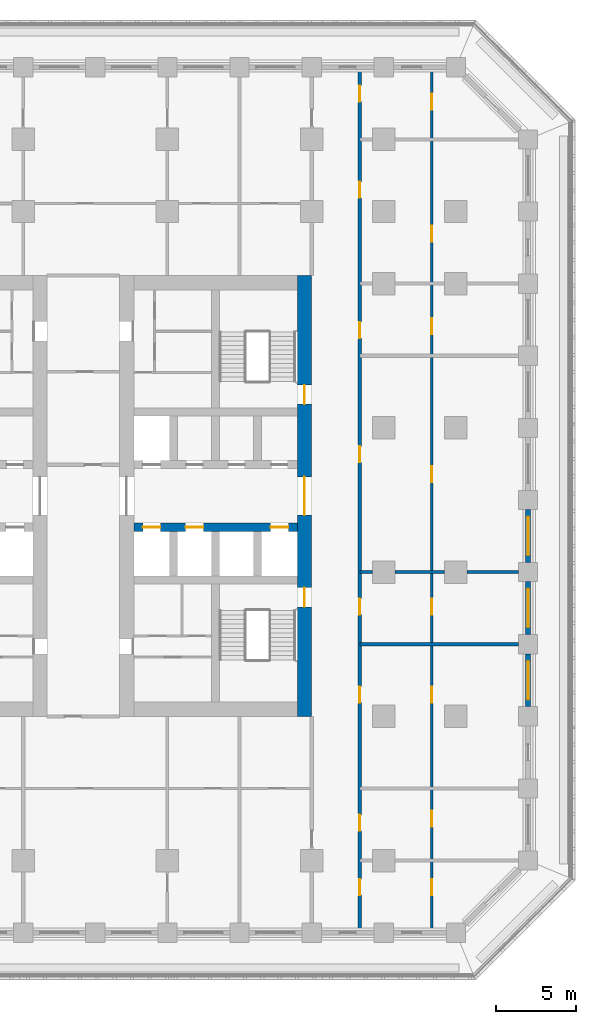
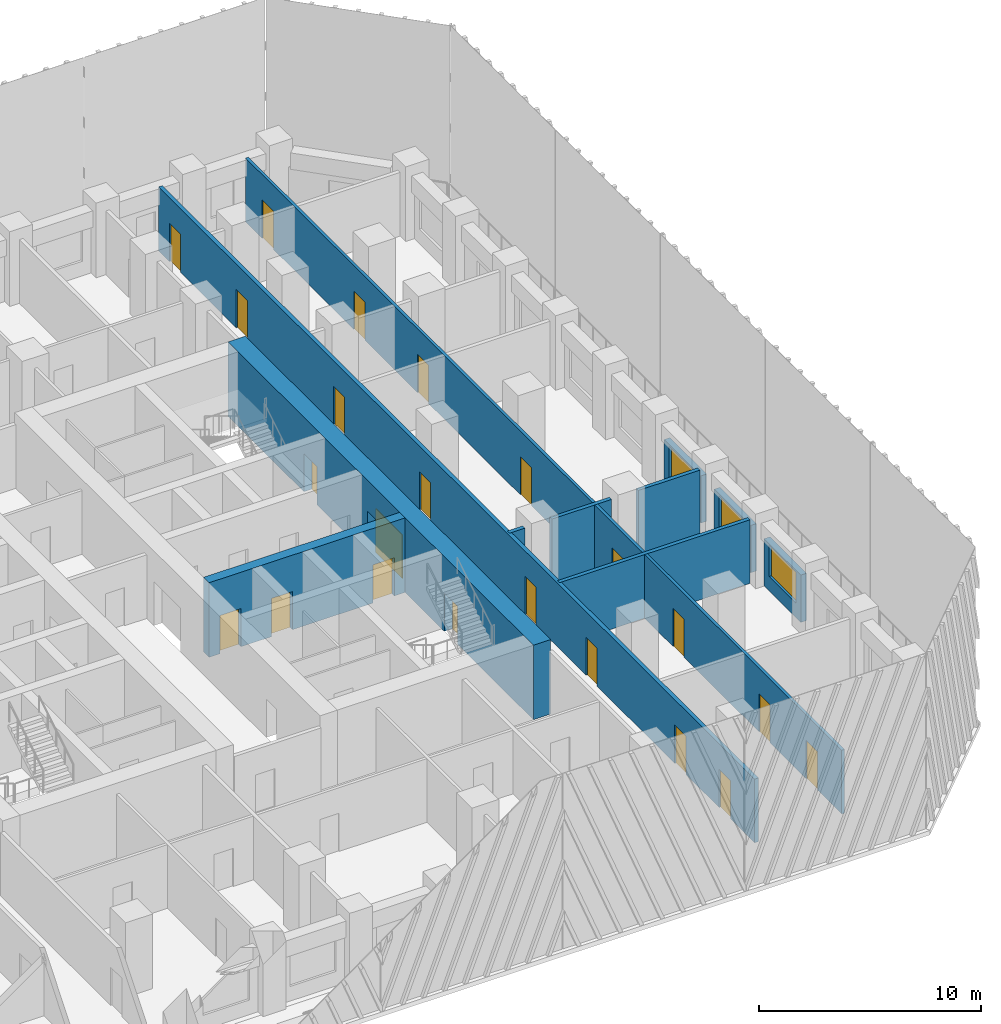
# One storey, part 6 of 20: 22 doors, 11 walls, 3 windows, 25 openings.
"""IFC4 building model written with IfcOpenShell, lengths in metres."""

from ifc_helpers import new_model, si_unit, direction, frame, frame_2d, origin, place, context, subcontext, project, spatial, rectangle, extrude, material, layer, layer_set, type_object, element, fill, save


model = new_model("IFC4")

# Units and contexts
model_context = context("Model", 3, precision=1e-05, world=origin(), true_north=direction((0.0, 1.0)))
body_context = subcontext(model_context, "Body", "Model", "MODEL_VIEW")
ifc_project = project(units=[si_unit("LENGTHUNIT", "METRE"), si_unit("AREAUNIT", "SQUARE_METRE"), si_unit("VOLUMEUNIT", "CUBIC_METRE"), si_unit("PLANEANGLEUNIT", "RADIAN"), si_unit("MASSUNIT", "GRAM", prefix="KILO")], contexts=[model_context])

# Site, building, storey
site_placement = place(None, origin())
site = spatial("IfcSite", under=ifc_project, at=site_placement, CompositionType="ELEMENT")
building_placement = place(site_placement, origin())
building = spatial("IfcBuilding", under=site, at=building_placement, Name="Corbel Stack Research Tower", CompositionType="ELEMENT")
storey_placement = place(building_placement, frame((0.0, 0.0, 106.60009765625)))
storey = spatial("IfcBuildingStorey", under=building, at=storey_placement, Name="L24", CompositionType="ELEMENT", Elevation=106.60009765625)

# Wall, openings, doors
ifc_material_1 = material(Name="Concrete C70/85", Category="concrete")
ifc_layer_1 = layer(ifc_material_1, 0.5)
ifc_layer_set_1 = layer_set([ifc_layer_1], Name="Concrete C70/85")
wall_type_1 = type_object("IfcWallType", Name="CW-500-70", PredefinedType="SHEAR", material=ifc_layer_set_1)
wall_1_placement = place(storey_placement, frame((6.89990234375, 2.800048828125, 0.0), z_axis=(0.0, 0.0, 1.0), x_axis=(1.0, 0.0, 0.0)))
wall_1 = element("IfcWall", 1, at=wall_1_placement, inside=storey, type_object=wall_type_1, Name="East core wall, lobby south L24", PredefinedType="SHEAR", context=body_context, shape_type="SweptSolid", body=[
    extrude(rectangle(XDim=10.2001953125, YDim=0.5, at=frame_2d((5.10009765625, 0.0))), origin(), (0.0, 0.0, 1.0), 4.099853515625),
])
opening_1_placement = place(wall_1_placement, frame((0.5625, 0.0, 0.0)))
opening_1 = element("IfcOpeningElement", 2, at=opening_1_placement, cuts=wall_1, Name="Opening LD-FS2", PredefinedType="OPENING", context=body_context, shape_type="SweptSolid", body=[
    extrude(rectangle(XDim=1.10009765625, YDim=2.10009765625, at=frame_2d((0.550048828125, 1.050048828125))), frame((0.0, 0.260009765625, 0.0), z_axis=(0.0, -1.0, 0.0), x_axis=(1.0, 0.0, 0.0)), (0.0, 0.0, 1.0), 0.52001953125),
])
opening_2_placement = place(wall_1_placement, frame((3.237548828125, 0.0, 0.0)))
opening_2 = element("IfcOpeningElement", 3, at=opening_2_placement, cuts=wall_1, Name="Opening LD-GL2", PredefinedType="OPENING", context=body_context, shape_type="SweptSolid", body=[
    extrude(rectangle(XDim=1.10009765625, YDim=2.10009765625, at=frame_2d((0.550048828125, 1.050048828125))), frame((0.0, 0.260009765625, 0.0), z_axis=(0.0, -1.0, 0.0), x_axis=(1.0, 0.0, 0.0)), (0.0, 0.0, 1.0), 0.52001953125),
])
opening_3_placement = place(wall_1_placement, frame((8.53759765625, 0.0, 0.0)))
opening_3 = element("IfcOpeningElement", 4, at=opening_3_placement, cuts=wall_1, Name="Opening LD-LR3", PredefinedType="OPENING", context=body_context, shape_type="SweptSolid", body=[
    extrude(rectangle(XDim=1.10009765625, YDim=2.10009765625, at=frame_2d((0.550048828125, 1.050048828125))), frame((0.0, 0.260009765625, 0.0), z_axis=(0.0, -1.0, 0.0), x_axis=(1.0, 0.0, 0.0)), (0.0, 0.0, 1.0), 0.52001953125),
])
ifc_material_2 = material(Name="Stainless steel landing door", Category="steel")
door_type_1 = type_object("IfcDoorType", Name="Lift landing door 1100 x 2100", OperationType="DOUBLE_DOOR_SLIDING", PredefinedType="DOOR", material=ifc_material_2)
door_1_placement = place(opening_1_placement, origin())
door_1 = element("IfcDoor", 5, at=door_1_placement, inside=storey, type_object=door_type_1, Name="Landing door FS2", OperationType="DOUBLE_DOOR_SLIDING", OverallHeight=2.10009765625, OverallWidth=1.10009765625, PredefinedType="DOOR", context=body_context, shape_type="SweptSolid", body=[
    extrude(rectangle(XDim=1.10009765625, YDim=2.10009765625, at=frame_2d((0.550048828125, 1.050048828125))), frame((0.0, 0.02490234375, 0.0), z_axis=(0.0, -1.0, 0.0), x_axis=(1.0, 0.0, 0.0)), (0.0, 0.0, 1.0), 0.050048828125),
])
fill(opening_1, door_1)
door_2_placement = place(opening_2_placement, origin())
door_2 = element("IfcDoor", 6, at=door_2_placement, inside=storey, type_object=door_type_1, Name="Landing door GL2", OperationType="DOUBLE_DOOR_SLIDING", OverallHeight=2.10009765625, OverallWidth=1.10009765625, PredefinedType="DOOR", context=body_context, shape_type="SweptSolid", body=[
    extrude(rectangle(XDim=1.10009765625, YDim=2.10009765625, at=frame_2d((0.550048828125, 1.050048828125))), frame((0.0, 0.02490234375, 0.0), z_axis=(0.0, -1.0, 0.0), x_axis=(1.0, 0.0, 0.0)), (0.0, 0.0, 1.0), 0.050048828125),
])
fill(opening_2, door_2)
door_3_placement = place(opening_3_placement, origin())
door_3 = element("IfcDoor", 7, at=door_3_placement, inside=storey, type_object=door_type_1, Name="Landing door LR3", OperationType="DOUBLE_DOOR_SLIDING", OverallHeight=2.10009765625, OverallWidth=1.10009765625, PredefinedType="DOOR", context=body_context, shape_type="SweptSolid", body=[
    extrude(rectangle(XDim=1.10009765625, YDim=2.10009765625, at=frame_2d((0.550048828125, 1.050048828125))), frame((0.0, 0.02490234375, 0.0), z_axis=(0.0, -1.0, 0.0), x_axis=(1.0, 0.0, 0.0)), (0.0, 0.0, 1.0), 0.050048828125),
])
fill(opening_3, door_3)

ifc_material_3 = material(Name="Concrete C70/85", Category="concrete")
ifc_layer_2 = layer(ifc_material_3, 0.89990234375)
ifc_layer_set_2 = layer_set([ifc_layer_2], Name="Concrete C70/85")
wall_type_2 = type_object("IfcWallType", Name="CW-900-70", PredefinedType="SHEAR", material=ifc_layer_set_2)
wall_2_placement = place(storey_placement, frame((17.550048828125, -9.0, 0.0), z_axis=(0.0, 0.0, 1.0), x_axis=(0.0, 1.0, 0.0)))
wall_2 = element("IfcWall", 8, at=wall_2_placement, inside=storey, type_object=wall_type_2, Name="East core wall, east face L24", PredefinedType="SHEAR", context=body_context, shape_type="SweptSolid", body=[
    extrude(rectangle(XDim=27.5, YDim=0.89990234375, at=frame_2d((13.75, 0.0))), origin(), (0.0, 0.0, 1.0), 4.099853515625),
])
opening_4_placement = place(wall_2_placement, frame((12.550048828125, 0.0, 0.0)))
opening_4 = element("IfcOpeningElement", 9, at=opening_4_placement, cuts=wall_2, Name="Opening CD-E-E", PredefinedType="OPENING", context=body_context, shape_type="SweptSolid", body=[
    extrude(rectangle(XDim=2.39990234375, YDim=2.39990234375, at=frame_2d((1.199951171875, 1.199951171875))), frame((0.0, 0.4599609375, 0.0), z_axis=(0.0, -1.0, 0.0), x_axis=(1.0, 0.0, 0.0)), (0.0, 0.0, 1.0), 0.919921875),
])
opening_5_placement = place(wall_2_placement, frame((6.824951171875, 0.0, 0.0)))
opening_5 = element("IfcOpeningElement", 10, at=opening_5_placement, cuts=wall_2, Name="Opening SD-ST-E1", PredefinedType="OPENING", context=body_context, shape_type="SweptSolid", body=[
    extrude(rectangle(XDim=1.199951171875, YDim=2.10009765625, at=frame_2d((0.60009765625, 1.050048828125))), frame((0.0, 0.4599609375, 0.0), z_axis=(0.0, -1.0, 0.0), x_axis=(1.0, 0.0, 0.0)), (0.0, 0.0, 1.0), 0.919921875),
])
opening_6_placement = place(wall_2_placement, frame((19.47509765625, 0.0, 0.0)))
opening_6 = element("IfcOpeningElement", 11, at=opening_6_placement, cuts=wall_2, Name="Opening SD-ST-E2", PredefinedType="OPENING", context=body_context, shape_type="SweptSolid", body=[
    extrude(rectangle(XDim=1.199951171875, YDim=2.10009765625, at=frame_2d((0.60009765625, 1.050048828125))), frame((0.0, 0.4599609375, 0.0), z_axis=(0.0, -1.0, 0.0), x_axis=(1.0, 0.0, 0.0)), (0.0, 0.0, 1.0), 0.919921875),
])
ifc_material_4 = material(Name="Painted steel fire door", Category="steel")
door_type_2 = type_object("IfcDoorType", Name="Lobby door pair 2400 x 2400 FD30S", OperationType="DOUBLE_DOOR_DOUBLE_SWING", PredefinedType="DOOR", material=ifc_material_4)
door_4_placement = place(opening_4_placement, origin())
door_4 = element("IfcDoor", 12, at=door_4_placement, inside=storey, type_object=door_type_2, Name="Lift lobby door E core E", OperationType="DOUBLE_DOOR_DOUBLE_SWING", OverallHeight=2.39990234375, OverallWidth=2.39990234375, PredefinedType="DOOR", context=body_context, shape_type="SweptSolid", body=[
    extrude(rectangle(XDim=2.39990234375, YDim=2.39990234375, at=frame_2d((1.199951171875, 1.199951171875))), frame((0.0, 0.02490234375, 0.0), z_axis=(0.0, -1.0, 0.0), x_axis=(1.0, 0.0, 0.0)), (0.0, 0.0, 1.0), 0.050048828125),
])
fill(opening_4, door_4)
ifc_material_5 = material(Name="Painted steel fire door", Category="steel")
door_type_3 = type_object("IfcDoorType", Name="Stair door 1200 x 2100 FD90 right hand", OperationType="SINGLE_SWING_RIGHT", PredefinedType="DOOR", material=ifc_material_5)
door_5_placement = place(opening_5_placement, frame((1.199951171875, 0.0, 0.0), z_axis=(0.0, 0.0, 1.0), x_axis=(-1.0, 0.0, 0.0)))
door_5 = element("IfcDoor", 13, at=door_5_placement, inside=storey, type_object=door_type_3, Name="Stair door ST-E1", OperationType="SINGLE_SWING_LEFT", OverallHeight=2.10009765625, OverallWidth=1.199951171875, PredefinedType="DOOR", context=body_context, shape_type="SweptSolid", body=[
    extrude(rectangle(XDim=1.199951171875, YDim=2.10009765625, at=frame_2d((0.60009765625, 1.050048828125))), frame((0.0, 0.02490234375, 0.0), z_axis=(0.0, -1.0, 0.0), x_axis=(1.0, 0.0, 0.0)), (0.0, 0.0, 1.0), 0.050048828125),
])
fill(opening_5, door_5)
door_6_placement = place(opening_6_placement, frame((1.199951171875, 0.0, 0.0), z_axis=(0.0, 0.0, 1.0), x_axis=(-1.0, 0.0, 0.0)))
door_6 = element("IfcDoor", 14, at=door_6_placement, inside=storey, type_object=door_type_3, Name="Stair door ST-E2", OperationType="SINGLE_SWING_LEFT", OverallHeight=2.10009765625, OverallWidth=1.199951171875, PredefinedType="DOOR", context=body_context, shape_type="SweptSolid", body=[
    extrude(rectangle(XDim=1.199951171875, YDim=2.10009765625, at=frame_2d((0.60009765625, 1.050048828125))), frame((0.0, 0.02490234375, 0.0), z_axis=(0.0, -1.0, 0.0), x_axis=(1.0, 0.0, 0.0)), (0.0, 0.0, 1.0), 0.050048828125),
])
fill(opening_6, door_6)

ifc_material_6 = material(Name="Fire-rated gypsum board partition on steel studs", Category="steel")
ifc_layer_3 = layer(ifc_material_6, 0.199951171875)
ifc_layer_set_3 = layer_set([ifc_layer_3], Name="Fire-rated gypsum board partition on steel studs")
wall_type_3 = type_object("IfcWallType", Name="Fire-rated partition 200 EI 60", PredefinedType="PARTITIONING", material=ifc_layer_set_3)
wall_3_placement = place(storey_placement, frame((21.0, 31.35009765625, 0.0), z_axis=(0.0, 0.0, 1.0), x_axis=(0.0, -1.0, 0.0)))
wall_3 = element("IfcWall", 15, at=wall_3_placement, inside=storey, type_object=wall_type_3, Name="Partition L24-029", PredefinedType="PARTITIONING", context=body_context, shape_type="SweptSolid", body=[
    extrude(rectangle(XDim=53.7001953125, YDim=0.199951171875, at=frame_2d((26.85009765625, 0.0))), origin(), (0.0, 0.0, 1.0), 3.5),
])
opening_7_placement = place(wall_3_placement, frame((50.5, 0.0, 0.0)))
opening_7 = element("IfcOpeningElement", 16, at=opening_7_placement, cuts=wall_3, Name="Opening B3V2-034", PredefinedType="OPENING", context=body_context, shape_type="SweptSolid", body=[
    extrude(rectangle(XDim=1.0, YDim=2.10009765625, at=frame_2d((0.5, 1.050048828125))), frame((0.0, 0.10986328125, 0.0), z_axis=(0.0, -1.0, 0.0), x_axis=(1.0, 0.0, 0.0)), (0.0, 0.0, 1.0), 0.219970703125),
])
opening_8_placement = place(wall_3_placement, frame((46.5, 0.0, 0.0)))
opening_8 = element("IfcOpeningElement", 17, at=opening_8_placement, cuts=wall_3, Name="Opening B3V2-035", PredefinedType="OPENING", context=body_context, shape_type="SweptSolid", body=[
    extrude(rectangle(XDim=1.0, YDim=2.10009765625, at=frame_2d((0.5, 1.050048828125))), frame((0.0, 0.10986328125, 0.0), z_axis=(0.0, -1.0, 0.0), x_axis=(1.0, 0.0, 0.0)), (0.0, 0.0, 1.0), 0.219970703125),
])
opening_9_placement = place(wall_3_placement, frame((38.5, 0.0, 0.0)))
opening_9 = element("IfcOpeningElement", 18, at=opening_9_placement, cuts=wall_3, Name="Opening B3V2-036", PredefinedType="OPENING", context=body_context, shape_type="SweptSolid", body=[
    extrude(rectangle(XDim=1.0, YDim=2.10009765625, at=frame_2d((0.5, 1.050048828125))), frame((0.0, 0.10986328125, 0.0), z_axis=(0.0, -1.0, 0.0), x_axis=(1.0, 0.0, 0.0)), (0.0, 0.0, 1.0), 0.219970703125),
])
opening_10_placement = place(wall_3_placement, frame((33.0, 0.0, 0.0)))
opening_10 = element("IfcOpeningElement", 19, at=opening_10_placement, cuts=wall_3, Name="Opening B3V2-037", PredefinedType="OPENING", context=body_context, shape_type="SweptSolid", body=[
    extrude(rectangle(XDim=1.0, YDim=2.10009765625, at=frame_2d((0.5, 1.050048828125))), frame((0.0, 0.10986328125, 0.0), z_axis=(0.0, -1.0, 0.0), x_axis=(1.0, 0.0, 0.0)), (0.0, 0.0, 1.0), 0.219970703125),
])
opening_11_placement = place(wall_3_placement, frame((23.5, 0.0, 0.0)))
opening_11 = element("IfcOpeningElement", 20, at=opening_11_placement, cuts=wall_3, Name="Opening B3V2-038", PredefinedType="OPENING", context=body_context, shape_type="SweptSolid", body=[
    extrude(rectangle(XDim=1.0, YDim=2.10009765625, at=frame_2d((0.5, 1.050048828125))), frame((0.0, 0.10986328125, 0.0), z_axis=(0.0, -1.0, 0.0), x_axis=(1.0, 0.0, 0.0)), (0.0, 0.0, 1.0), 0.219970703125),
])
opening_12_placement = place(wall_3_placement, frame((15.75, 0.0, 0.0)))
opening_12 = element("IfcOpeningElement", 21, at=opening_12_placement, cuts=wall_3, Name="Opening B3V2-039", PredefinedType="OPENING", context=body_context, shape_type="SweptSolid", body=[
    extrude(rectangle(XDim=1.0, YDim=2.10009765625, at=frame_2d((0.5, 1.050048828125))), frame((0.0, 0.10986328125, 0.0), z_axis=(0.0, -1.0, 0.0), x_axis=(1.0, 0.0, 0.0)), (0.0, 0.0, 1.0), 0.219970703125),
])
opening_13_placement = place(wall_3_placement, frame((7.0, 0.0, 0.0)))
opening_13 = element("IfcOpeningElement", 22, at=opening_13_placement, cuts=wall_3, Name="Opening B3V2-040", PredefinedType="OPENING", context=body_context, shape_type="SweptSolid", body=[
    extrude(rectangle(XDim=1.0, YDim=2.10009765625, at=frame_2d((0.5, 1.050048828125))), frame((0.0, 0.10986328125, 0.0), z_axis=(0.0, -1.0, 0.0), x_axis=(1.0, 0.0, 0.0)), (0.0, 0.0, 1.0), 0.219970703125),
])
opening_14_placement = place(wall_3_placement, frame((1.0, 0.0, 0.0)))
opening_14 = element("IfcOpeningElement", 23, at=opening_14_placement, cuts=wall_3, Name="Opening B3V2-041", PredefinedType="OPENING", context=body_context, shape_type="SweptSolid", body=[
    extrude(rectangle(XDim=1.0, YDim=2.10009765625, at=frame_2d((0.5, 1.050048828125))), frame((0.0, 0.10986328125, 0.0), z_axis=(0.0, -1.0, 0.0), x_axis=(1.0, 0.0, 0.0)), (0.0, 0.0, 1.0), 0.219970703125),
])
ifc_material_7 = material(Name="Painted steel fire door", Category="steel")
door_type_4 = type_object("IfcDoorType", Name="Fire door FD30S 1000 x 2100", OperationType="NOTDEFINED", PredefinedType="DOOR", material=ifc_material_7)
door_7_placement = place(opening_7_placement, origin())
door_7 = element("IfcDoor", 24, at=door_7_placement, inside=storey, type_object=door_type_4, Name="Door B3V2-034", OperationType="SINGLE_SWING_RIGHT", OverallHeight=2.10009765625, OverallWidth=1.0, PredefinedType="DOOR", context=body_context, shape_type="SweptSolid", body=[
    extrude(rectangle(XDim=1.0, YDim=2.10009765625, at=frame_2d((0.5, 1.050048828125))), frame((0.0, 0.02490234375, 0.0), z_axis=(0.0, -1.0, 0.0), x_axis=(1.0, 0.0, 0.0)), (0.0, 0.0, 1.0), 0.050048828125),
])
fill(opening_7, door_7)
door_8_placement = place(opening_8_placement, origin())
door_8 = element("IfcDoor", 25, at=door_8_placement, inside=storey, type_object=door_type_4, Name="Door B3V2-035", OperationType="SINGLE_SWING_RIGHT", OverallHeight=2.10009765625, OverallWidth=1.0, PredefinedType="DOOR", context=body_context, shape_type="SweptSolid", body=[
    extrude(rectangle(XDim=1.0, YDim=2.10009765625, at=frame_2d((0.5, 1.050048828125))), frame((0.0, 0.02490234375, 0.0), z_axis=(0.0, -1.0, 0.0), x_axis=(1.0, 0.0, 0.0)), (0.0, 0.0, 1.0), 0.050048828125),
])
fill(opening_8, door_8)
door_9_placement = place(opening_9_placement, origin())
door_9 = element("IfcDoor", 26, at=door_9_placement, inside=storey, type_object=door_type_4, Name="Door B3V2-036", OperationType="SINGLE_SWING_RIGHT", OverallHeight=2.10009765625, OverallWidth=1.0, PredefinedType="DOOR", context=body_context, shape_type="SweptSolid", body=[
    extrude(rectangle(XDim=1.0, YDim=2.10009765625, at=frame_2d((0.5, 1.050048828125))), frame((0.0, 0.02490234375, 0.0), z_axis=(0.0, -1.0, 0.0), x_axis=(1.0, 0.0, 0.0)), (0.0, 0.0, 1.0), 0.050048828125),
])
fill(opening_9, door_9)
door_10_placement = place(opening_10_placement, origin())
door_10 = element("IfcDoor", 27, at=door_10_placement, inside=storey, type_object=door_type_4, Name="Door B3V2-037", OperationType="SINGLE_SWING_RIGHT", OverallHeight=2.10009765625, OverallWidth=1.0, PredefinedType="DOOR", context=body_context, shape_type="SweptSolid", body=[
    extrude(rectangle(XDim=1.0, YDim=2.10009765625, at=frame_2d((0.5, 1.050048828125))), frame((0.0, 0.02490234375, 0.0), z_axis=(0.0, -1.0, 0.0), x_axis=(1.0, 0.0, 0.0)), (0.0, 0.0, 1.0), 0.050048828125),
])
fill(opening_10, door_10)
door_11_placement = place(opening_11_placement, origin())
door_11 = element("IfcDoor", 28, at=door_11_placement, inside=storey, type_object=door_type_4, Name="Door B3V2-038", OperationType="SINGLE_SWING_LEFT", OverallHeight=2.10009765625, OverallWidth=1.0, PredefinedType="DOOR", context=body_context, shape_type="SweptSolid", body=[
    extrude(rectangle(XDim=1.0, YDim=2.10009765625, at=frame_2d((0.5, 1.050048828125))), frame((0.0, 0.02490234375, 0.0), z_axis=(0.0, -1.0, 0.0), x_axis=(1.0, 0.0, 0.0)), (0.0, 0.0, 1.0), 0.050048828125),
])
fill(opening_11, door_11)
door_12_placement = place(opening_12_placement, origin())
door_12 = element("IfcDoor", 29, at=door_12_placement, inside=storey, type_object=door_type_4, Name="Door B3V2-039", OperationType="SINGLE_SWING_LEFT", OverallHeight=2.10009765625, OverallWidth=1.0, PredefinedType="DOOR", context=body_context, shape_type="SweptSolid", body=[
    extrude(rectangle(XDim=1.0, YDim=2.10009765625, at=frame_2d((0.5, 1.050048828125))), frame((0.0, 0.02490234375, 0.0), z_axis=(0.0, -1.0, 0.0), x_axis=(1.0, 0.0, 0.0)), (0.0, 0.0, 1.0), 0.050048828125),
])
fill(opening_12, door_12)
door_13_placement = place(opening_13_placement, origin())
door_13 = element("IfcDoor", 30, at=door_13_placement, inside=storey, type_object=door_type_4, Name="Door B3V2-040", OperationType="SINGLE_SWING_LEFT", OverallHeight=2.10009765625, OverallWidth=1.0, PredefinedType="DOOR", context=body_context, shape_type="SweptSolid", body=[
    extrude(rectangle(XDim=1.0, YDim=2.10009765625, at=frame_2d((0.5, 1.050048828125))), frame((0.0, 0.02490234375, 0.0), z_axis=(0.0, -1.0, 0.0), x_axis=(1.0, 0.0, 0.0)), (0.0, 0.0, 1.0), 0.050048828125),
])
fill(opening_13, door_13)
door_14_placement = place(opening_14_placement, origin())
door_14 = element("IfcDoor", 31, at=door_14_placement, inside=storey, type_object=door_type_4, Name="Door B3V2-041", OperationType="SINGLE_SWING_LEFT", OverallHeight=2.10009765625, OverallWidth=1.0, PredefinedType="DOOR", context=body_context, shape_type="SweptSolid", body=[
    extrude(rectangle(XDim=1.0, YDim=2.10009765625, at=frame_2d((0.5, 1.050048828125))), frame((0.0, 0.02490234375, 0.0), z_axis=(0.0, -1.0, 0.0), x_axis=(1.0, 0.0, 0.0)), (0.0, 0.0, 1.0), 0.050048828125),
])
fill(opening_14, door_14)

# Walls
wall_4_placement = place(storey_placement, frame((21.0, -4.5, 0.0), z_axis=(0.0, 0.0, 1.0), x_axis=(1.0, 0.0, 0.0)))
element("IfcWall", 32, at=wall_4_placement, inside=storey, type_object=wall_type_3, Name="Partition L24-039", PredefinedType="PARTITIONING", context=body_context, shape_type="SweptSolid", body=[
    extrude(rectangle(XDim=9.89990234375, YDim=0.199951171875, at=frame_2d((4.949951171875, 0.0))), origin(), (0.0, 0.0, 1.0), 3.5),
])
wall_5_placement = place(storey_placement, frame((21.0, 0.0, 0.0), z_axis=(0.0, 0.0, 1.0), x_axis=(1.0, 0.0, 0.0)))
element("IfcWall", 33, at=wall_5_placement, inside=storey, type_object=wall_type_3, Name="Partition L24-042", PredefinedType="PARTITIONING", context=body_context, shape_type="SweptSolid", body=[
    extrude(rectangle(XDim=0.800048828125, YDim=0.199951171875, at=frame_2d((0.39990234375, 0.0))), origin(), (0.0, 0.0, 1.0), 3.5),
])
wall_6_placement = place(storey_placement, frame((23.199951171875, 0.0, 0.0), z_axis=(0.0, 0.0, 1.0), x_axis=(1.0, 0.0, 0.0)))
element("IfcWall", 34, at=wall_6_placement, inside=storey, type_object=wall_type_3, Name="Partition L24-043", PredefinedType="PARTITIONING", context=body_context, shape_type="SweptSolid", body=[
    extrude(rectangle(XDim=3.10009765625, YDim=0.199951171875, at=frame_2d((1.550048828125, 0.0))), origin(), (0.0, 0.0, 1.0), 3.5),
])
wall_7_placement = place(storey_placement, frame((27.699951171875, 0.0, 0.0), z_axis=(0.0, 0.0, 1.0), x_axis=(1.0, 0.0, 0.0)))
element("IfcWall", 35, at=wall_7_placement, inside=storey, type_object=wall_type_3, Name="Partition L24-044", PredefinedType="PARTITIONING", context=body_context, shape_type="SweptSolid", body=[
    extrude(rectangle(XDim=3.199951171875, YDim=0.199951171875, at=frame_2d((1.60009765625, 0.0))), origin(), (0.0, 0.0, 1.0), 3.5),
])

# Wall, openings, doors
ifc_material_8 = material(Name="Gypsum board partition on steel studs", Category="steel")
ifc_layer_4 = layer(ifc_material_8, 0.14990234375)
ifc_layer_set_4 = layer_set([ifc_layer_4], Name="Gypsum board partition on steel studs")
wall_type_4 = type_object("IfcWallType", Name="Partition 150", PredefinedType="PARTITIONING", material=ifc_layer_set_4)
wall_8_placement = place(storey_placement, frame((25.5, 31.35009765625, 0.0), z_axis=(0.0, 0.0, 1.0), x_axis=(0.0, -1.0, 0.0)))
wall_8 = element("IfcWall", 36, at=wall_8_placement, inside=storey, type_object=wall_type_4, Name="Partition L24-030", PredefinedType="PARTITIONING", context=body_context, shape_type="SweptSolid", body=[
    extrude(rectangle(XDim=53.7001953125, YDim=0.14990234375, at=frame_2d((26.85009765625, 0.0))), origin(), (0.0, 0.0, 1.0), 3.5),
])
opening_15_placement = place(wall_8_placement, frame((50.5, 0.0, 0.0)))
opening_15 = element("IfcOpeningElement", 37, at=opening_15_placement, cuts=wall_8, Name="Opening B3V2-047", PredefinedType="OPENING", context=body_context, shape_type="SweptSolid", body=[
    extrude(rectangle(XDim=1.0, YDim=2.10009765625, at=frame_2d((0.5, 1.050048828125))), frame((0.0, 0.0849609375, 0.0), z_axis=(0.0, -1.0, 0.0), x_axis=(1.0, 0.0, 0.0)), (0.0, 0.0, 1.0), 0.169921875),
])
opening_16_placement = place(wall_8_placement, frame((46.25, 0.0, 0.0)))
opening_16 = element("IfcOpeningElement", 38, at=opening_16_placement, cuts=wall_8, Name="Opening B3V2-048", PredefinedType="OPENING", context=body_context, shape_type="SweptSolid", body=[
    extrude(rectangle(XDim=1.0, YDim=2.10009765625, at=frame_2d((0.5, 1.050048828125))), frame((0.0, 0.0849609375, 0.0), z_axis=(0.0, -1.0, 0.0), x_axis=(1.0, 0.0, 0.0)), (0.0, 0.0, 1.0), 0.169921875),
])
opening_17_placement = place(wall_8_placement, frame((38.5, 0.0, 0.0)))
opening_17 = element("IfcOpeningElement", 39, at=opening_17_placement, cuts=wall_8, Name="Opening B3V2-049", PredefinedType="OPENING", context=body_context, shape_type="SweptSolid", body=[
    extrude(rectangle(XDim=1.0, YDim=2.10009765625, at=frame_2d((0.5, 1.050048828125))), frame((0.0, 0.0849609375, 0.0), z_axis=(0.0, -1.0, 0.0), x_axis=(1.0, 0.0, 0.0)), (0.0, 0.0, 1.0), 0.169921875),
])
opening_18_placement = place(wall_8_placement, frame((33.0, 0.0, 0.0)))
opening_18 = element("IfcOpeningElement", 40, at=opening_18_placement, cuts=wall_8, Name="Opening B3V2-050", PredefinedType="OPENING", context=body_context, shape_type="SweptSolid", body=[
    extrude(rectangle(XDim=1.0, YDim=2.10009765625, at=frame_2d((0.5, 1.050048828125))), frame((0.0, 0.0849609375, 0.0), z_axis=(0.0, -1.0, 0.0), x_axis=(1.0, 0.0, 0.0)), (0.0, 0.0, 1.0), 0.169921875),
])
opening_19_placement = place(wall_8_placement, frame((24.75, 0.0, 0.0)))
opening_19 = element("IfcOpeningElement", 41, at=opening_19_placement, cuts=wall_8, Name="Opening B3V2-051", PredefinedType="OPENING", context=body_context, shape_type="SweptSolid", body=[
    extrude(rectangle(XDim=1.0, YDim=2.10009765625, at=frame_2d((0.5, 1.050048828125))), frame((0.0, 0.0849609375, 0.0), z_axis=(0.0, -1.0, 0.0), x_axis=(1.0, 0.0, 0.0)), (0.0, 0.0, 1.0), 0.169921875),
])
opening_20_placement = place(wall_8_placement, frame((15.5, 0.0, 0.0)))
opening_20 = element("IfcOpeningElement", 42, at=opening_20_placement, cuts=wall_8, Name="Opening B3V2-052", PredefinedType="OPENING", context=body_context, shape_type="SweptSolid", body=[
    extrude(rectangle(XDim=1.0, YDim=2.10009765625, at=frame_2d((0.5, 1.050048828125))), frame((0.0, 0.0849609375, 0.0), z_axis=(0.0, -1.0, 0.0), x_axis=(1.0, 0.0, 0.0)), (0.0, 0.0, 1.0), 0.169921875),
])
opening_21_placement = place(wall_8_placement, frame((9.75, 0.0, 0.0)))
opening_21 = element("IfcOpeningElement", 43, at=opening_21_placement, cuts=wall_8, Name="Opening B3V2-053", PredefinedType="OPENING", context=body_context, shape_type="SweptSolid", body=[
    extrude(rectangle(XDim=1.0, YDim=2.10009765625, at=frame_2d((0.5, 1.050048828125))), frame((0.0, 0.0849609375, 0.0), z_axis=(0.0, -1.0, 0.0), x_axis=(1.0, 0.0, 0.0)), (0.0, 0.0, 1.0), 0.169921875),
])
opening_22_placement = place(wall_8_placement, frame((1.5, 0.0, 0.0)))
opening_22 = element("IfcOpeningElement", 44, at=opening_22_placement, cuts=wall_8, Name="Opening B3V2-054", PredefinedType="OPENING", context=body_context, shape_type="SweptSolid", body=[
    extrude(rectangle(XDim=1.0, YDim=2.10009765625, at=frame_2d((0.5, 1.050048828125))), frame((0.0, 0.0849609375, 0.0), z_axis=(0.0, -1.0, 0.0), x_axis=(1.0, 0.0, 0.0)), (0.0, 0.0, 1.0), 0.169921875),
])
ifc_material_9 = material(Name="Painted timber door", Category="wood")
door_type_5 = type_object("IfcDoorType", Name="Single door 1000 x 2100", OperationType="NOTDEFINED", PredefinedType="DOOR", material=ifc_material_9)
door_15_placement = place(opening_15_placement, origin())
door_15 = element("IfcDoor", 45, at=door_15_placement, inside=storey, type_object=door_type_5, Name="Door B3V2-047", OperationType="SINGLE_SWING_RIGHT", OverallHeight=2.10009765625, OverallWidth=1.0, PredefinedType="DOOR", context=body_context, shape_type="SweptSolid", body=[
    extrude(rectangle(XDim=1.0, YDim=2.10009765625, at=frame_2d((0.5, 1.050048828125))), frame((0.0, 0.02490234375, 0.0), z_axis=(0.0, -1.0, 0.0), x_axis=(1.0, 0.0, 0.0)), (0.0, 0.0, 1.0), 0.050048828125),
])
fill(opening_15, door_15)
door_16_placement = place(opening_16_placement, origin())
door_16 = element("IfcDoor", 46, at=door_16_placement, inside=storey, type_object=door_type_5, Name="Door B3V2-048", OperationType="SINGLE_SWING_RIGHT", OverallHeight=2.10009765625, OverallWidth=1.0, PredefinedType="DOOR", context=body_context, shape_type="SweptSolid", body=[
    extrude(rectangle(XDim=1.0, YDim=2.10009765625, at=frame_2d((0.5, 1.050048828125))), frame((0.0, 0.02490234375, 0.0), z_axis=(0.0, -1.0, 0.0), x_axis=(1.0, 0.0, 0.0)), (0.0, 0.0, 1.0), 0.050048828125),
])
fill(opening_16, door_16)
door_17_placement = place(opening_17_placement, origin())
door_17 = element("IfcDoor", 47, at=door_17_placement, inside=storey, type_object=door_type_5, Name="Door B3V2-049", OperationType="SINGLE_SWING_RIGHT", OverallHeight=2.10009765625, OverallWidth=1.0, PredefinedType="DOOR", context=body_context, shape_type="SweptSolid", body=[
    extrude(rectangle(XDim=1.0, YDim=2.10009765625, at=frame_2d((0.5, 1.050048828125))), frame((0.0, 0.02490234375, 0.0), z_axis=(0.0, -1.0, 0.0), x_axis=(1.0, 0.0, 0.0)), (0.0, 0.0, 1.0), 0.050048828125),
])
fill(opening_17, door_17)
door_18_placement = place(opening_18_placement, origin())
door_18 = element("IfcDoor", 48, at=door_18_placement, inside=storey, type_object=door_type_5, Name="Door B3V2-050", OperationType="SINGLE_SWING_RIGHT", OverallHeight=2.10009765625, OverallWidth=1.0, PredefinedType="DOOR", context=body_context, shape_type="SweptSolid", body=[
    extrude(rectangle(XDim=1.0, YDim=2.10009765625, at=frame_2d((0.5, 1.050048828125))), frame((0.0, 0.02490234375, 0.0), z_axis=(0.0, -1.0, 0.0), x_axis=(1.0, 0.0, 0.0)), (0.0, 0.0, 1.0), 0.050048828125),
])
fill(opening_18, door_18)
door_19_placement = place(opening_19_placement, origin())
door_19 = element("IfcDoor", 49, at=door_19_placement, inside=storey, type_object=door_type_5, Name="Door B3V2-051", OperationType="SINGLE_SWING_LEFT", OverallHeight=2.10009765625, OverallWidth=1.0, PredefinedType="DOOR", context=body_context, shape_type="SweptSolid", body=[
    extrude(rectangle(XDim=1.0, YDim=2.10009765625, at=frame_2d((0.5, 1.050048828125))), frame((0.0, 0.02490234375, 0.0), z_axis=(0.0, -1.0, 0.0), x_axis=(1.0, 0.0, 0.0)), (0.0, 0.0, 1.0), 0.050048828125),
])
fill(opening_19, door_19)
door_20_placement = place(opening_20_placement, origin())
door_20 = element("IfcDoor", 50, at=door_20_placement, inside=storey, type_object=door_type_5, Name="Door B3V2-052", OperationType="SINGLE_SWING_LEFT", OverallHeight=2.10009765625, OverallWidth=1.0, PredefinedType="DOOR", context=body_context, shape_type="SweptSolid", body=[
    extrude(rectangle(XDim=1.0, YDim=2.10009765625, at=frame_2d((0.5, 1.050048828125))), frame((0.0, 0.02490234375, 0.0), z_axis=(0.0, -1.0, 0.0), x_axis=(1.0, 0.0, 0.0)), (0.0, 0.0, 1.0), 0.050048828125),
])
fill(opening_20, door_20)
door_21_placement = place(opening_21_placement, origin())
door_21 = element("IfcDoor", 51, at=door_21_placement, inside=storey, type_object=door_type_5, Name="Door B3V2-053", OperationType="SINGLE_SWING_LEFT", OverallHeight=2.10009765625, OverallWidth=1.0, PredefinedType="DOOR", context=body_context, shape_type="SweptSolid", body=[
    extrude(rectangle(XDim=1.0, YDim=2.10009765625, at=frame_2d((0.5, 1.050048828125))), frame((0.0, 0.02490234375, 0.0), z_axis=(0.0, -1.0, 0.0), x_axis=(1.0, 0.0, 0.0)), (0.0, 0.0, 1.0), 0.050048828125),
])
fill(opening_21, door_21)
door_22_placement = place(opening_22_placement, origin())
door_22 = element("IfcDoor", 52, at=door_22_placement, inside=storey, type_object=door_type_5, Name="Door B3V2-054", OperationType="SINGLE_SWING_LEFT", OverallHeight=2.10009765625, OverallWidth=1.0, PredefinedType="DOOR", context=body_context, shape_type="SweptSolid", body=[
    extrude(rectangle(XDim=1.0, YDim=2.10009765625, at=frame_2d((0.5, 1.050048828125))), frame((0.0, 0.02490234375, 0.0), z_axis=(0.0, -1.0, 0.0), x_axis=(1.0, 0.0, 0.0)), (0.0, 0.0, 1.0), 0.050048828125),
])
fill(opening_22, door_22)

# Wall, opening, window
ifc_material_10 = material(Name="Concrete C45/55", Category="concrete")
ifc_layer_5 = layer(ifc_material_10, 0.300048828125)
ifc_layer_set_5 = layer_set([ifc_layer_5], Name="Concrete C45/55")
wall_type_5 = type_object("IfcWallType", Name="Terracotta-faced concrete wall 300", PredefinedType="SOLIDWALL", material=ifc_layer_set_5)
wall_9_placement = place(storey_placement, frame((31.5, -5.10009765625, 0.0), z_axis=(0.0, 0.0, 1.0), x_axis=(0.0, -1.0, 0.0)))
wall_9 = element("IfcWall", 53, at=wall_9_placement, inside=storey, type_object=wall_type_5, Name="Facade wall L24 E03", PredefinedType="SOLIDWALL", context=body_context, shape_type="SweptSolid", body=[
    extrude(rectangle(XDim=3.2998046875, YDim=0.300048828125, at=frame_2d((1.64990234375, 0.0))), origin(), (0.0, 0.0, 1.0), 2.599853515625),
])
opening_23_placement = place(wall_9_placement, frame((0.449951171875, 0.0, 0.800048828125)))
opening_23 = element("IfcOpeningElement", 54, at=opening_23_placement, cuts=wall_9, Name="Opening W1", PredefinedType="OPENING", context=body_context, shape_type="SweptSolid", body=[
    extrude(rectangle(XDim=2.39990234375, YDim=1.699951171875, at=frame_2d((1.199951171875, 0.85009765625))), frame((0.0, 0.159912109375, 0.0), z_axis=(0.0, -1.0, 0.0), x_axis=(1.0, 0.0, 0.0)), (0.0, 0.0, 1.0), 0.320068359375),
])
ifc_material_11 = material(Name="Aluminium frame, clear double glazing", Category="aluminium")
window_type = type_object("IfcWindowType", Name="Window W1 2400 x 1700", PartitioningType="SINGLE_PANEL", PredefinedType="WINDOW", material=ifc_material_11)
window_1_placement = place(opening_23_placement, origin())
window_1 = element("IfcWindow", 55, at=window_1_placement, inside=storey, type_object=window_type, Name="Window W1 L24 E03", OverallHeight=1.699951171875, OverallWidth=2.39990234375, PartitioningType="SINGLE_PANEL", PredefinedType="WINDOW", context=body_context, shape_type="SweptSolid", body=[
    extrude(rectangle(XDim=2.39990234375, YDim=1.699951171875, at=frame_2d((1.199951171875, 0.85009765625))), frame((0.0, 0.030029296875, 0.0), z_axis=(0.0, -1.0, 0.0), x_axis=(1.0, 0.0, 0.0)), (0.0, 0.0, 1.0), 0.06005859375),
])
fill(opening_23, window_1)

wall_10_placement = place(storey_placement, frame((31.5, -0.60009765625, 0.0), z_axis=(0.0, 0.0, 1.0), x_axis=(0.0, -1.0, 0.0)))
wall_10 = element("IfcWall", 56, at=wall_10_placement, inside=storey, type_object=wall_type_5, Name="Facade wall L24 E04", PredefinedType="SOLIDWALL", context=body_context, shape_type="SweptSolid", body=[
    extrude(rectangle(XDim=3.2998046875, YDim=0.300048828125, at=frame_2d((1.64990234375, 0.0))), origin(), (0.0, 0.0, 1.0), 2.599853515625),
])
opening_24_placement = place(wall_10_placement, frame((0.449951171875, 0.0, 0.800048828125)))
opening_24 = element("IfcOpeningElement", 57, at=opening_24_placement, cuts=wall_10, Name="Opening W1", PredefinedType="OPENING", context=body_context, shape_type="SweptSolid", body=[
    extrude(rectangle(XDim=2.39990234375, YDim=1.699951171875, at=frame_2d((1.199951171875, 0.85009765625))), frame((0.0, 0.159912109375, 0.0), z_axis=(0.0, -1.0, 0.0), x_axis=(1.0, 0.0, 0.0)), (0.0, 0.0, 1.0), 0.320068359375),
])
window_2_placement = place(opening_24_placement, origin())
window_2 = element("IfcWindow", 58, at=window_2_placement, inside=storey, type_object=window_type, Name="Window W1 L24 E04", OverallHeight=1.699951171875, OverallWidth=2.39990234375, PartitioningType="SINGLE_PANEL", PredefinedType="WINDOW", context=body_context, shape_type="SweptSolid", body=[
    extrude(rectangle(XDim=2.39990234375, YDim=1.699951171875, at=frame_2d((1.199951171875, 0.85009765625))), frame((0.0, 0.030029296875, 0.0), z_axis=(0.0, -1.0, 0.0), x_axis=(1.0, 0.0, 0.0)), (0.0, 0.0, 1.0), 0.06005859375),
])
fill(opening_24, window_2)

wall_11_placement = place(storey_placement, frame((31.5, 3.89990234375, 0.0), z_axis=(0.0, 0.0, 1.0), x_axis=(0.0, -1.0, 0.0)))
wall_11 = element("IfcWall", 59, at=wall_11_placement, inside=storey, type_object=wall_type_5, Name="Facade wall L24 E05", PredefinedType="SOLIDWALL", context=body_context, shape_type="SweptSolid", body=[
    extrude(rectangle(XDim=3.2998046875, YDim=0.300048828125, at=frame_2d((1.64990234375, 0.0))), origin(), (0.0, 0.0, 1.0), 2.599853515625),
])
opening_25_placement = place(wall_11_placement, frame((0.449951171875, 0.0, 0.800048828125)))
opening_25 = element("IfcOpeningElement", 60, at=opening_25_placement, cuts=wall_11, Name="Opening W1", PredefinedType="OPENING", context=body_context, shape_type="SweptSolid", body=[
    extrude(rectangle(XDim=2.39990234375, YDim=1.699951171875, at=frame_2d((1.199951171875, 0.85009765625))), frame((0.0, 0.159912109375, 0.0), z_axis=(0.0, -1.0, 0.0), x_axis=(1.0, 0.0, 0.0)), (0.0, 0.0, 1.0), 0.320068359375),
])
window_3_placement = place(opening_25_placement, origin())
window_3 = element("IfcWindow", 61, at=window_3_placement, inside=storey, type_object=window_type, Name="Window W1 L24 E05", OverallHeight=1.699951171875, OverallWidth=2.39990234375, PartitioningType="SINGLE_PANEL", PredefinedType="WINDOW", context=body_context, shape_type="SweptSolid", body=[
    extrude(rectangle(XDim=2.39990234375, YDim=1.699951171875, at=frame_2d((1.199951171875, 0.85009765625))), frame((0.0, 0.030029296875, 0.0), z_axis=(0.0, -1.0, 0.0), x_axis=(1.0, 0.0, 0.0)), (0.0, 0.0, 1.0), 0.06005859375),
])
fill(opening_25, window_3)

save(model, "model.ifc")
